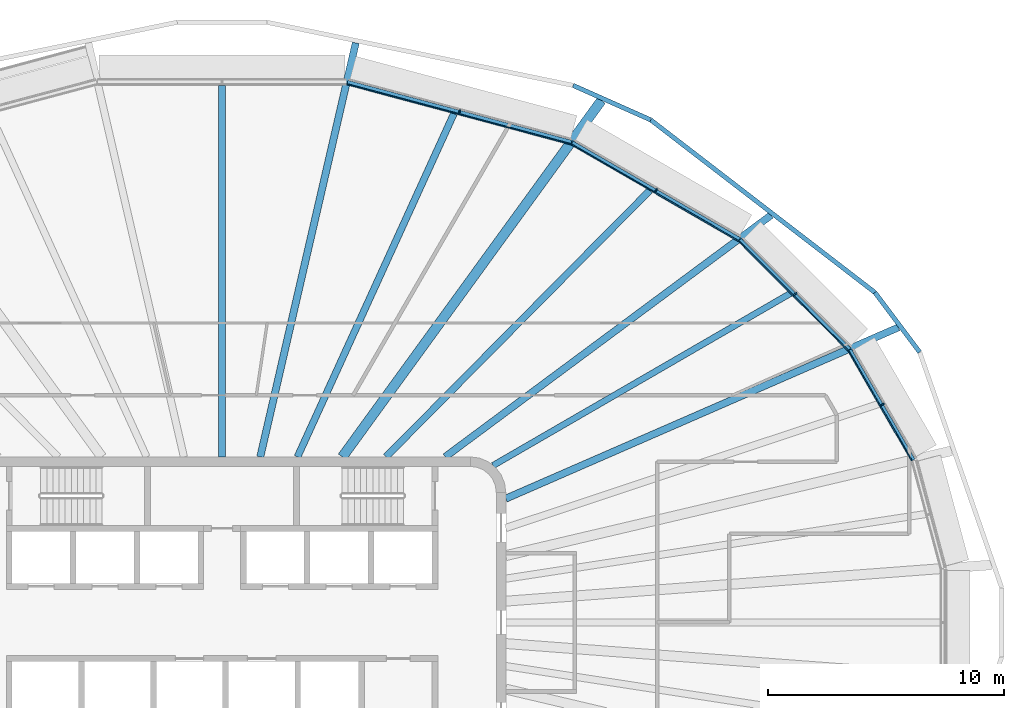
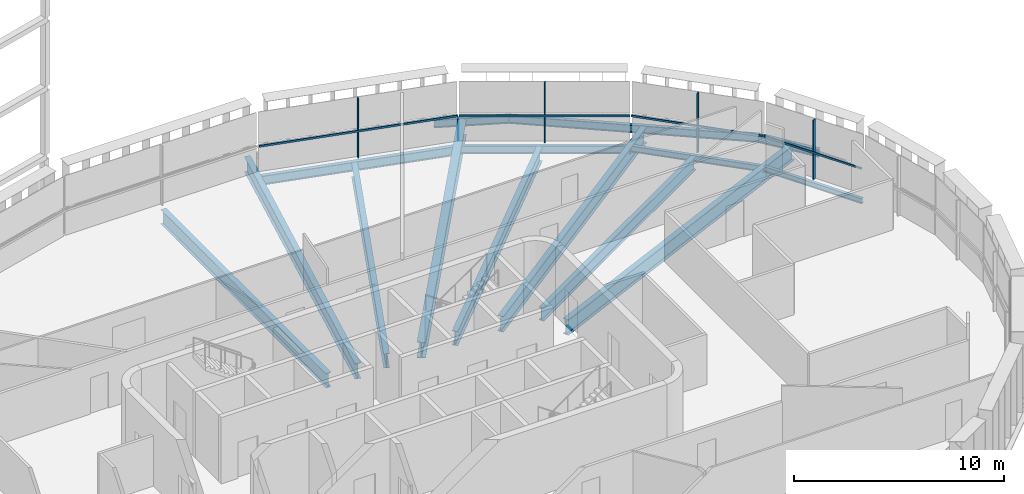
# One storey, part 6 of 20: 15 beams, 8 members, 4 elements without a shape of their own.
"""IFC4 building model written with IfcOpenShell, lengths in metres."""

import ifcopenshell
import ifcopenshell.guid

model = None  # the IFC model being written
_history = None  # IfcOwnerHistory: only IFC2X3 demands one
_inside = {}  # id of a spatial element -> (the spatial element, [elements in it])
_under = {}  # id of a project, library or spatial element -> (it, [spatial elements below it])
_declared = {}  # id of a project -> (the project, [libraries it declares])
_typed = {}  # id of a type object -> (the type object, [elements of that type])
_made_of = {}  # id of a material, layer set ... -> (it, [elements and type objects made of it])


def new_model(schema):
    """Start an empty IFC model of exactly this schema.

    Asked for "IFC4X3", IfcOpenShell would pick the latest addendum, in which some entities
    have other attributes; the version numbers below select the first issue.
    IFC2X3 requires an IfcOwnerHistory on every rooted entity: one is made here for all.
    """
    global model, _history
    if schema == "IFC4X3":
        model = ifcopenshell.file(schema_version=(4, 3, 0, 0))
    else:
        model = ifcopenshell.file(schema=schema)
    _inside.clear()
    _under.clear()
    _declared.clear()
    _typed.clear()
    _made_of.clear()
    _history = None
    if model.schema == "IFC2X3":
        org = make("IfcOrganization", Name="unknown")
        user = make(
            "IfcPersonAndOrganization",
            ThePerson=make("IfcPerson", FamilyName="unknown"),
            TheOrganization=org,
        )
        app = make(
            "IfcApplication",
            ApplicationDeveloper=org,
            Version="unknown",
            ApplicationFullName="unknown",
            ApplicationIdentifier="unknown",
        )
        _history = make(
            "IfcOwnerHistory",
            OwningUser=user,
            OwningApplication=app,
            ChangeAction="ADDED",
            CreationDate=0,
        )
    return model


def make(cls, **values):
    """One entity of the class cls with the attributes given. An attribute that is None is left unset."""
    return model.create_entity(
        cls, **{name: value for name, value in values.items() if value is not None}
    )


def rooted(cls, **values):
    """An entity with a GlobalId (a new one), such as an element, a storey or a relation."""
    return make(cls, GlobalId=ifcopenshell.guid.new(), OwnerHistory=_history, **values)


def si_unit(unit_type, name, prefix=None):
    """IfcSIUnit, for example si_unit("LENGTHUNIT", "METRE", prefix="MILLI")."""
    return make("IfcSIUnit", UnitType=unit_type, Prefix=prefix, Name=name)


def assignment(units):
    """IfcUnitAssignment: the units of a project."""
    return None if units is None else make("IfcUnitAssignment", Units=units)


def point(xyz):
    """IfcCartesianPoint."""
    return None if xyz is None else make("IfcCartesianPoint", Coordinates=xyz)


def direction(xyz):
    """IfcDirection."""
    return None if xyz is None else make("IfcDirection", DirectionRatios=xyz)


def frame(location, z_axis=None, x_axis=None):
    """IfcAxis2Placement3D, a coordinate frame: its origin and axes. An axis left out is left unset."""
    return make(
        "IfcAxis2Placement3D",
        Location=point(location),
        Axis=direction(z_axis),
        RefDirection=direction(x_axis),
    )


def frame_2d(location, x_axis=None):
    """IfcAxis2Placement2D, a coordinate frame in the plane: its origin and x axis."""
    return make(
        "IfcAxis2Placement2D", Location=point(location), RefDirection=direction(x_axis)
    )


def origin():
    """The frame at (0, 0, 0) with its axes left unset."""
    return frame((0.0, 0.0, 0.0))


def origin_2d():
    """The frame at (0, 0) in the plane with its x axis left unset."""
    return frame_2d((0.0, 0.0))


def place(relative_to, where):
    """IfcLocalPlacement: puts the frame where relative to a parent placement (None: the world)."""
    return make(
        "IfcLocalPlacement", PlacementRelTo=relative_to, RelativePlacement=where
    )


def context(
    kind, dimensions, precision=None, world=None, true_north=None, identifier=None
):
    """IfcGeometricRepresentationContext, for example the 3D "Model" context."""
    return make(
        "IfcGeometricRepresentationContext",
        ContextIdentifier=identifier,
        ContextType=kind,
        CoordinateSpaceDimension=dimensions,
        Precision=precision,
        WorldCoordinateSystem=world,
        TrueNorth=true_north,
    )


def subcontext(parent, identifier, kind, view, scale=None):
    """IfcGeometricRepresentationSubContext, for example "Body" below "Model"."""
    return make(
        "IfcGeometricRepresentationSubContext",
        ContextIdentifier=identifier,
        ContextType=kind,
        ParentContext=parent,
        TargetScale=scale,
        TargetView=view,
    )


def project(units=None, contexts=None):
    """IfcProject with its units and contexts."""
    return rooted(
        "IfcProject",
        Name="project",
        RepresentationContexts=contexts,
        UnitsInContext=assignment(units),
    )


def spatial(cls, under=None, at=None, **own):
    """A site, building, storey or space (cls), placed at a placement, below another one or the project."""
    s = rooted(cls, ObjectPlacement=at, **own)
    if under is not None:
        _under.setdefault(under.id(), (under, []))[1].append(s)
    return s


def profile(cls, at=None, kind="AREA", **sizes):
    """A parametric profile (cls). Its sizes go by their IFC names, for example OverallWidth=200.0."""
    return make(cls, ProfileType=kind, Position=at, **sizes)


def rectangle(**sizes):
    """IfcRectangleProfileDef."""
    return profile("IfcRectangleProfileDef", **sizes)


def i_section(**sizes):
    """IfcIShapeProfileDef."""
    return profile("IfcIShapeProfileDef", **sizes)


def extrude(swept, where, along, depth):
    """IfcExtrudedAreaSolid: the profile swept, set in the frame where, extruded along a direction by depth."""
    return make(
        "IfcExtrudedAreaSolid",
        SweptArea=swept,
        Position=where,
        ExtrudedDirection=direction(along),
        Depth=depth,
    )


def shape(context_of_items, identifier, shape_type, items):
    """IfcShapeRepresentation: the items that make up one representation, for example the "Body"."""
    return make(
        "IfcShapeRepresentation",
        ContextOfItems=context_of_items,
        RepresentationIdentifier=identifier,
        RepresentationType=shape_type,
        Items=items,
    )


def material(Name=None, Category=None):
    """IfcMaterial."""
    return make("IfcMaterial", Name=Name, Category=Category)


def layer(
    of_material, thickness, ventilated=None, Name=None, Category=None, Priority=None
):
    """IfcMaterialLayer: one layer of a wall or slab, of a material (None: an air gap)."""
    return make(
        "IfcMaterialLayer",
        Material=of_material,
        LayerThickness=thickness,
        IsVentilated=ventilated,
        Name=Name,
        Category=Category,
        Priority=Priority,
    )


def layer_set(layers, Name=None):
    """IfcMaterialLayerSet."""
    return make("IfcMaterialLayerSet", MaterialLayers=layers, LayerSetName=Name)


def material_profile(
    of_material, cross_section, Name=None, Category=None, Priority=None
):
    """IfcMaterialProfile: a cross section and its material."""
    return make(
        "IfcMaterialProfile",
        Name=Name,
        Material=of_material,
        Profile=cross_section,
        Priority=Priority,
        Category=Category,
    )


def profile_set(profiles, Name=None, composite=None):
    """IfcMaterialProfileSet."""
    return make(
        "IfcMaterialProfileSet",
        Name=Name,
        MaterialProfiles=profiles,
        CompositeProfile=composite,
    )


def made_of(thing, what):
    """Note that an element or type object is made of a material, layer set ...; save() writes the relation."""
    if what is not None:
        _made_of.setdefault(what.id(), (what, []))[1].append(thing)
    return thing


def type_object(cls, material=None, **own):
    """A type object (cls), such as IfcWallType, which elements share."""
    return made_of(rooted(cls, **own), material)


def element(
    cls,
    number,
    at=None,
    inside=None,
    cuts=None,
    type_object=None,
    material=None,
    context=None,
    identifier="Body",
    shape_type=None,
    held_by="IfcProductDefinitionShape",
    body=None,
    shapes=None,
    **own,
):
    """One element of the class cls, such as IfcWall. Its Tag is "e" and its number.

    at: its placement. inside: the storey or other place that contains it. cuts: it is an
    opening in that element (IfcRelVoidsElement). A single representation is given by context,
    identifier, shape_type and body (its items); several are given by shapes. held_by: the class
    of the entity that holds the representations. save() writes the other relations.
    """
    e = rooted(cls, Tag="e%d" % number, ObjectPlacement=at, **own)
    if body is not None:
        shapes = [shape(context, identifier, shape_type, body)]
    if shapes is not None:
        e.Representation = make(held_by, Representations=shapes)
    if inside is not None:
        _inside.setdefault(inside.id(), (inside, []))[1].append(e)
    if cuts is not None:
        rooted(
            "IfcRelVoidsElement", RelatingBuildingElement=cuts, RelatedOpeningElement=e
        )
    if type_object is not None:
        _typed.setdefault(type_object.id(), (type_object, []))[1].append(e)
    return made_of(e, material)


def aggregate(whole, parts):
    """IfcRelAggregates: a whole, such as a stair, and the parts it consists of."""
    return rooted("IfcRelAggregates", RelatingObject=whole, RelatedObjects=parts)


def save(model, path):
    """Write the relations noted so far, then the file.

    IfcRelAggregates (storeys below a building ...), IfcRelContainedInSpatialStructure (elements
    in a storey), IfcRelDefinesByType, IfcRelAssociatesMaterial and IfcRelDeclares: one each for
    every whole, place, type object, material and project.
    """
    for whole, parts in _under.values():
        aggregate(whole, parts)
    for where, things in _inside.values():
        rooted(
            "IfcRelContainedInSpatialStructure",
            RelatedElements=things,
            RelatingStructure=where,
        )
    for kind, things in _typed.values():
        rooted("IfcRelDefinesByType", RelatedObjects=things, RelatingType=kind)
    for what, things in _made_of.values():
        rooted("IfcRelAssociatesMaterial", RelatedObjects=things, RelatingMaterial=what)
    for by, libraries in _declared.values():
        rooted("IfcRelDeclares", RelatingContext=by, RelatedDefinitions=libraries)
    model.write(path)


model = new_model("IFC4")

# Units and contexts
model_context = context("Model", 3, precision=1e-05, world=origin(), true_north=direction((0.0, 1.0)))
body_context = subcontext(model_context, "Body", "Model", "MODEL_VIEW")
ifc_project = project(units=[si_unit("LENGTHUNIT", "METRE"), si_unit("AREAUNIT", "SQUARE_METRE"), si_unit("VOLUMEUNIT", "CUBIC_METRE"), si_unit("PLANEANGLEUNIT", "RADIAN"), si_unit("MASSUNIT", "GRAM", prefix="KILO")], contexts=[model_context])

# Site, building, storey
site_placement = place(None, origin())
site = spatial("IfcSite", under=ifc_project, at=site_placement, CompositionType="ELEMENT")
building_placement = place(site_placement, origin())
building = spatial("IfcBuilding", under=site, at=building_placement, Name="Sahrelin Media Tower", CompositionType="ELEMENT")
storey_placement = place(building_placement, frame((0.0, 0.0, 213.60009765625)))
storey = spatial("IfcBuildingStorey", under=building, at=storey_placement, Name="L45", CompositionType="ELEMENT", Elevation=213.60009765625)

# Beams
ifc_material_1 = material(Name="Steel S355", Category="steel")
ifc_material_profile_1 = material_profile(ifc_material_1, i_section(OverallWidth=0.1650390625, OverallDepth=0.303466796875, WebThickness=0.006103515625, FlangeThickness=0.01025390625, FilletRadius=0.0087890625, at=origin_2d()), Name="UB 305x165x40")
ifc_profile_set_1 = profile_set([ifc_material_profile_1], Name="Steel S355")
beam_type_1 = type_object("IfcBeamType", Name="Edge beam EB2", PredefinedType="BEAM", material=ifc_profile_set_1)
beam_1_placement = place(storey_placement, frame((26.5478515625, 11.521484375, -0.3017578125), z_axis=(0.499992359988, -0.866029814703, 0.0), x_axis=(0.866029814703, 0.499992359988, 0.0)))
element("IfcBeam", 1, at=beam_1_placement, inside=storey, type_object=beam_type_1, Name="Edge beam L45-23", PredefinedType="BEAM", context=body_context, shape_type="SweptSolid", body=[
    extrude(i_section(OverallWidth=0.1650390625, OverallDepth=0.303466796875, WebThickness=0.006103515625, FlangeThickness=0.01025390625, FilletRadius=0.0087890625, at=origin_2d()), origin(), (0.0, 0.0, 1.0), 5.37646484375),
])
ifc_material_profile_2 = material_profile(ifc_material_1, i_section(OverallWidth=0.17138671875, OverallDepth=0.35498046875, WebThickness=0.00732421875, FlangeThickness=0.011474609375, FilletRadius=0.01025390625, at=origin_2d()), Name="UB 356x171x51")
ifc_profile_set_2 = profile_set([ifc_material_profile_2], Name="Steel S355")
beam_type_2 = type_object("IfcBeamType", Name="Edge beam EB3", PredefinedType="BEAM", material=ifc_profile_set_2)
beam_2_placement = place(storey_placement, frame((21.901123046875, 16.17333984375, -0.32763671875), z_axis=(0.70712542778, -0.707088134102, 0.0), x_axis=(0.707088134102, 0.70712542778, 0.0)))
element("IfcBeam", 2, at=beam_2_placement, inside=storey, type_object=beam_type_2, Name="Edge beam L45-22", PredefinedType="BEAM", context=body_context, shape_type="SweptSolid", body=[
    extrude(i_section(OverallWidth=0.17138671875, OverallDepth=0.35498046875, WebThickness=0.00732421875, FlangeThickness=0.011474609375, FilletRadius=0.01025390625, at=origin_2d()), origin(), (0.0, 0.0, 1.0), 6.54638671875),
])
ifc_material_profile_3 = material_profile(ifc_material_1, i_section(OverallWidth=0.1904296875, OverallDepth=0.45703125, WebThickness=0.009033203125, FlangeThickness=0.014404296875, FilletRadius=0.01025390625, at=origin_2d()), Name="UB 457x191x74")
ifc_profile_set_3 = profile_set([ifc_material_profile_3], Name="Steel S355")
beam_type_3 = type_object("IfcBeamType", Name="Edge beam EB5", PredefinedType="BEAM", material=ifc_profile_set_3)
beam_3_placement = place(storey_placement, frame((14.79833984375, 20.278564453125, -0.378662109375), z_axis=(0.866027444383, -0.499996465562, 0.0), x_axis=(0.499996465562, 0.866027444383, 0.0)))
element("IfcBeam", 3, at=beam_3_placement, inside=storey, type_object=beam_type_3, Name="Edge beam L45-21", PredefinedType="BEAM", context=body_context, shape_type="SweptSolid", body=[
    extrude(i_section(OverallWidth=0.1904296875, OverallDepth=0.45703125, WebThickness=0.009033203125, FlangeThickness=0.014404296875, FilletRadius=0.01025390625, at=origin_2d()), origin(), (0.0, 0.0, 1.0), 8.17529296875),
])
ifc_material_profile_4 = material_profile(ifc_material_1, i_section(OverallWidth=0.208740234375, OverallDepth=0.5283203125, WebThickness=0.009521484375, FlangeThickness=0.01318359375, FilletRadius=0.0126953125, at=origin_2d()), Name="UB 533x210x82")
ifc_profile_set_4 = profile_set([ifc_material_profile_4], Name="Steel S355")
beam_type_4 = type_object("IfcBeamType", Name="Edge beam EB6", PredefinedType="BEAM", material=ifc_profile_set_4)
beam_4_placement = place(storey_placement, frame((5.296630859375, 22.828369140625, -0.414306640625), z_axis=(0.965926499263, -0.258816533518, 0.0), x_axis=(0.258816533518, 0.965926499263, 0.0)))
element("IfcBeam", 4, at=beam_4_placement, inside=storey, type_object=beam_type_4, Name="Edge beam L45-20", PredefinedType="BEAM", context=body_context, shape_type="SweptSolid", body=[
    extrude(i_section(OverallWidth=0.208740234375, OverallDepth=0.5283203125, WebThickness=0.009521484375, FlangeThickness=0.01318359375, FilletRadius=0.0126953125, at=origin_2d()), origin(), (0.0, 0.0, 1.0), 9.809326171875),
])

# Curtain wall, member
ifc_material_2 = material(Name="Champagne anodised aluminium 6063-T6", Category="aluminium")
ifc_layer = layer(ifc_material_2, 0.14990234375)
ifc_layer_set = layer_set([ifc_layer], Name="Tower ribbon curtain wall")
curtain_wall_type = type_object("IfcCurtainWallType", Name="Tower ribbon curtain wall", PredefinedType="NOTDEFINED", material=ifc_layer_set)
curtain_wall_1_placement = place(storey_placement, frame((28.02197265625, 9.268310546875, 0.0), z_axis=(0.0, 0.0, 1.0), x_axis=(1.0, 0.0, 0.0)))
curtain_wall_1 = element("IfcCurtainWall", 5, at=curtain_wall_1_placement, inside=storey, type_object=curtain_wall_type, Name="L45:CW:L45-02", PredefinedType="NOTDEFINED")
ifc_material_profile_5 = material_profile(ifc_material_2, rectangle(XDim=0.06005859375, YDim=0.175048828125, at=origin_2d()), Name="Mullion 60x175")
ifc_profile_set_5 = profile_set([ifc_material_profile_5], Name="Champagne anodised aluminium 6063-T6")
member_type_1 = type_object("IfcMemberType", Name="Mullion 60x175 CW1B", PredefinedType="MULLION", material=ifc_profile_set_5)
member_1_placement = place(storey_placement, frame((27.9287109375, 9.214599609375, 0.0), z_axis=(0.0, 0.0, 1.0), x_axis=(-0.4999984885, 0.866026276448, 0.0)))
member_1 = element("IfcMember", 6, at=member_1_placement, type_object=member_type_1, Name="L45:CWM:L45-02", PredefinedType="MULLION", context=body_context, shape_type="SweptSolid", body=[
    extrude(rectangle(XDim=0.06005859375, YDim=0.175048828125, at=origin_2d()), origin(), (0.0, 0.0, 1.0), 3.448486328125),
])

curtain_wall_2_placement = place(storey_placement, frame((24.32177734375, 13.96484375, 0.0), z_axis=(0.0, 0.0, 1.0), x_axis=(1.0, 0.0, 0.0)))
curtain_wall_2 = element("IfcCurtainWall", 7, at=curtain_wall_2_placement, inside=storey, type_object=curtain_wall_type, Name="L45:CW:L45-03", PredefinedType="NOTDEFINED")
member_2_placement = place(storey_placement, frame((24.245849609375, 13.888916015625, 0.0), z_axis=(0.0, 0.0, 1.0), x_axis=(-0.707114185953, 0.707099376343, 0.0)))
member_2 = element("IfcMember", 8, at=member_2_placement, type_object=member_type_1, Name="L45:CWM:L45-03", PredefinedType="MULLION", context=body_context, shape_type="SweptSolid", body=[
    extrude(rectangle(XDim=0.06005859375, YDim=0.175048828125, at=origin_2d()), origin(), (0.0, 0.0, 1.0), 3.448486328125),
])

curtain_wall_3_placement = place(storey_placement, frame((18.413330078125, 18.364501953125, 0.0), z_axis=(0.0, 0.0, 1.0), x_axis=(1.0, 0.0, 0.0)))
curtain_wall_3 = element("IfcCurtainWall", 9, at=curtain_wall_3_placement, inside=storey, type_object=curtain_wall_type, Name="L45:CW:L45-04", PredefinedType="NOTDEFINED")
member_3_placement = place(storey_placement, frame((18.359619140625, 18.271484375, 0.0), z_axis=(0.0, 0.0, 1.0), x_axis=(-0.866024531118, 0.500001511499, 0.0)))
member_3 = element("IfcMember", 10, at=member_3_placement, type_object=member_type_1, Name="L45:CWM:L45-04", PredefinedType="MULLION", context=body_context, shape_type="SweptSolid", body=[
    extrude(rectangle(XDim=0.06005859375, YDim=0.175048828125, at=origin_2d()), origin(), (0.0, 0.0, 1.0), 3.448486328125),
])

curtain_wall_4_placement = place(storey_placement, frame((10.072998046875, 21.703857421875, 0.0), z_axis=(0.0, 0.0, 1.0), x_axis=(1.0, 0.0, 0.0)))
curtain_wall_4 = element("IfcCurtainWall", 11, at=curtain_wall_4_placement, inside=storey, type_object=curtain_wall_type, Name="L45:CW:L45-05", PredefinedType="NOTDEFINED")
member_4_placement = place(storey_placement, frame((10.045166015625, 21.60009765625, 0.0), z_axis=(0.0, 0.0, 1.0), x_axis=(-0.965925374563, 0.258820730961, 0.0)))
member_4 = element("IfcMember", 12, at=member_4_placement, type_object=member_type_1, Name="L45:CWM:L45-05", PredefinedType="MULLION", context=body_context, shape_type="SweptSolid", body=[
    extrude(rectangle(XDim=0.06005859375, YDim=0.175048828125, at=origin_2d()), origin(), (0.0, 0.0, 1.0), 3.448486328125),
])

# Beams
ifc_material_profile_6 = material_profile(ifc_material_1, i_section(OverallWidth=0.30322265625, OverallDepth=0.903076171875, WebThickness=0.01513671875, FlangeThickness=0.020263671875, FilletRadius=0.01904296875, at=origin_2d()), Name="UB 914x305x201")
ifc_profile_set_6 = profile_set([ifc_material_profile_6], Name="Steel S355")
beam_type_5 = type_object("IfcBeamType", Name="Radial primary beam PB11", PredefinedType="BEAM", material=ifc_profile_set_6)
beam_5_placement = place(storey_placement, frame((12.0, 5.23291015625, -0.6015625), z_axis=(0.916633040882, 0.399729744156, 0.0), x_axis=(-0.399729744156, 0.916633040882, 0.0)))
element("IfcBeam", 13, at=beam_5_placement, inside=storey, type_object=beam_type_5, Name="Radial beam L45-03", PredefinedType="BEAM", context=body_context, shape_type="SweptSolid", body=[
    extrude(i_section(OverallWidth=0.30322265625, OverallDepth=0.903076171875, WebThickness=0.01513671875, FlangeThickness=0.020263671875, FilletRadius=0.01904296875, at=origin_2d()), origin(), (0.0, 0.0, 1.0), 18.11474609375),
])
beam_6_placement = place(storey_placement, frame((9.4384765625, 7.0, -0.6015625), z_axis=(0.803209621637, 0.595696486232, 0.0), x_axis=(-0.595696486232, 0.803209621637, 0.0)))
element("IfcBeam", 14, at=beam_6_placement, inside=storey, type_object=beam_type_5, Name="Radial beam L45-04", PredefinedType="BEAM", context=body_context, shape_type="SweptSolid", body=[
    extrude(i_section(OverallWidth=0.30322265625, OverallDepth=0.903076171875, WebThickness=0.01513671875, FlangeThickness=0.020263671875, FilletRadius=0.01904296875, at=origin_2d()), origin(), (0.0, 0.0, 1.0), 17.153564453125),
])
beam_7_placement = place(storey_placement, frame((1.614990234375, 7.0, -0.6015625), z_axis=(0.22481485709, 0.974401498373, 0.0), x_axis=(-0.974401498373, 0.22481485709, 0.0)))
element("IfcBeam", 15, at=beam_7_placement, inside=storey, type_object=beam_type_5, Name="Radial beam L45-06", PredefinedType="BEAM", context=body_context, shape_type="SweptSolid", body=[
    extrude(i_section(OverallWidth=0.30322265625, OverallDepth=0.903076171875, WebThickness=0.01513671875, FlangeThickness=0.020263671875, FilletRadius=0.01904296875, at=origin_2d()), origin(), (0.0, 0.0, 1.0), 17.970458984375),
])
ifc_material_profile_7 = material_profile(ifc_material_1, i_section(OverallWidth=0.41845703125, OverallDepth=0.911865234375, WebThickness=0.019287109375, FlangeThickness=0.031982421875, FilletRadius=0.024169921875, at=origin_2d()), Name="UB 914x419x343")
ifc_profile_set_7 = profile_set([ifc_material_profile_7], Name="Steel S355")
beam_type_6 = type_object("IfcBeamType", Name="Radial primary beam PB12", PredefinedType="BEAM", material=ifc_profile_set_7)
beam_8_placement = place(storey_placement, frame((5.0869140625, 7.0, -0.60595703125), z_axis=(0.587886584188, 0.808943362747, 0.0), x_axis=(-0.808943362747, 0.587886584188, 0.0)))
element("IfcBeam", 16, at=beam_8_placement, inside=storey, type_object=beam_type_6, Name="Radial beam L45-05", PredefinedType="BEAM", context=body_context, shape_type="SweptSolid", body=[
    extrude(i_section(OverallWidth=0.41845703125, OverallDepth=0.911865234375, WebThickness=0.019287109375, FlangeThickness=0.031982421875, FilletRadius=0.024169921875, at=origin_2d()), origin(), (0.0, 0.0, 1.0), 18.63720703125),
])
ifc_material_profile_8 = material_profile(ifc_material_1, i_section(OverallWidth=0.291748046875, OverallDepth=0.8349609375, WebThickness=0.013916015625, FlangeThickness=0.018798828125, FilletRadius=0.017822265625, at=origin_2d()), Name="UB 838x292x176")
ifc_profile_set_8 = profile_set([ifc_material_profile_8], Name="Steel S355")
beam_type_7 = type_object("IfcBeamType", Name="Radial secondary beam SB10", PredefinedType="BEAM", material=ifc_profile_set_8)
beam_9_placement = place(storey_placement, frame((6.932373046875, 7.0, -0.567626953125), z_axis=(0.703673029626, 0.710523938637, 0.0), x_axis=(-0.710523938637, 0.703673029626, 0.0)))
element("IfcBeam", 17, at=beam_9_placement, inside=storey, type_object=beam_type_7, Name="Secondary beam L45-04", PredefinedType="BEAM", context=body_context, shape_type="SweptSolid", body=[
    extrude(i_section(OverallWidth=0.291748046875, OverallDepth=0.8349609375, WebThickness=0.013916015625, FlangeThickness=0.018798828125, FilletRadius=0.017822265625, at=origin_2d()), origin(), (0.0, 0.0, 1.0), 15.858154296875),
])
beam_10_placement = place(storey_placement, frame((3.18994140625, 7.0, -0.567626953125), z_axis=(0.414690814889, 0.90996237727, 0.0), x_axis=(-0.90996237727, 0.414690814889, 0.0)))
element("IfcBeam", 18, at=beam_10_placement, inside=storey, type_object=beam_type_7, Name="Secondary beam L45-05", PredefinedType="BEAM", context=body_context, shape_type="SweptSolid", body=[
    extrude(i_section(OverallWidth=0.291748046875, OverallDepth=0.8349609375, WebThickness=0.013916015625, FlangeThickness=0.018798828125, FilletRadius=0.017822265625, at=origin_2d()), origin(), (0.0, 0.0, 1.0), 15.94873046875),
])
beam_11_placement = place(storey_placement, frame((0.0, 7.0, -0.567626953125), z_axis=(0.0, 1.0, 0.0), x_axis=(-1.0, 0.0, 0.0)))
element("IfcBeam", 19, at=beam_11_placement, inside=storey, type_object=beam_type_7, Name="Secondary beam L45-06", PredefinedType="BEAM", context=body_context, shape_type="SweptSolid", body=[
    extrude(i_section(OverallWidth=0.291748046875, OverallDepth=0.8349609375, WebThickness=0.013916015625, FlangeThickness=0.018798828125, FilletRadius=0.017822265625, at=origin_2d()), origin(), (0.0, 0.0, 1.0), 15.718505859375),
])
ifc_material_profile_9 = material_profile(ifc_material_1, i_section(OverallWidth=0.26513671875, OverallDepth=0.75390625, WebThickness=0.0126953125, FlangeThickness=0.017578125, FilletRadius=0.0166015625, at=origin_2d()), Name="UB 762x267x147")
ifc_profile_set_9 = profile_set([ifc_material_profile_9], Name="Steel S355")
beam_type_8 = type_object("IfcBeamType", Name="Radial secondary beam SB9", PredefinedType="BEAM", material=ifc_profile_set_9)
beam_12_placement = place(storey_placement, frame((11.463623046875, 6.635009765625, -0.527099609375), z_axis=(0.865485713708, 0.500933607744, 0.0), x_axis=(-0.500933607744, 0.865485713708, 0.0)))
element("IfcBeam", 20, at=beam_12_placement, inside=storey, type_object=beam_type_8, Name="Secondary beam L45-03", PredefinedType="BEAM", context=body_context, shape_type="SweptSolid", body=[
    extrude(i_section(OverallWidth=0.26513671875, OverallDepth=0.75390625, WebThickness=0.0126953125, FlangeThickness=0.017578125, FilletRadius=0.0166015625, at=origin_2d()), origin(), (0.0, 0.0, 1.0), 14.530517578125),
])
ifc_material_profile_10 = material_profile(ifc_material_1, i_section(OverallWidth=0.1904296875, OverallDepth=0.45703125, WebThickness=0.009033203125, FlangeThickness=0.014404296875, FilletRadius=0.01025390625, at=origin_2d()), Name="UB 457x191x74")
ifc_profile_set_10 = profile_set([ifc_material_profile_10], Name="Steel S355")
beam_type_9 = type_object("IfcBeamType", Name="Tie chord TC5", PredefinedType="BEAM", material=ifc_profile_set_10)
beam_13_placement = place(storey_placement, frame((29.507080078125, 11.42919921875, -0.378662109375), z_axis=(-0.600074252543, 0.799944305208, 0.0), x_axis=(-0.799944305208, -0.600074252543, 0.0)))
element("IfcBeam", 21, at=beam_13_placement, inside=storey, type_object=beam_type_9, Name="Tie chord L45-02", PredefinedType="BEAM", context=body_context, shape_type="SweptSolid", body=[
    extrude(i_section(OverallWidth=0.1904296875, OverallDepth=0.45703125, WebThickness=0.009033203125, FlangeThickness=0.014404296875, FilletRadius=0.01025390625, at=origin_2d()), origin(), (0.0, 0.0, 1.0), 3.15625),
])
beam_14_placement = place(storey_placement, frame((27.613037109375, 13.9541015625, -0.378662109375), z_axis=(-0.792444220913, 0.609944388237, 0.0), x_axis=(-0.609944388237, -0.792444220913, 0.0)))
element("IfcBeam", 22, at=beam_14_placement, inside=storey, type_object=beam_type_9, Name="Tie chord L45-03", PredefinedType="BEAM", context=body_context, shape_type="SweptSolid", body=[
    extrude(i_section(OverallWidth=0.1904296875, OverallDepth=0.45703125, WebThickness=0.009033203125, FlangeThickness=0.014404296875, FilletRadius=0.01025390625, at=origin_2d()), origin(), (0.0, 0.0, 1.0), 11.967529296875),
])
beam_15_placement = place(storey_placement, frame((18.12939453125, 21.253662109375, -0.378662109375), z_axis=(-0.913836787305, 0.406081674258, 0.0), x_axis=(-0.406081674258, -0.913836787305, 0.0)))
element("IfcBeam", 23, at=beam_15_placement, inside=storey, type_object=beam_type_9, Name="Tie chord L45-04", PredefinedType="BEAM", context=body_context, shape_type="SweptSolid", body=[
    extrude(i_section(OverallWidth=0.1904296875, OverallDepth=0.45703125, WebThickness=0.009033203125, FlangeThickness=0.014404296875, FilletRadius=0.01025390625, at=origin_2d()), origin(), (0.0, 0.0, 1.0), 3.58984375),
])

# Member
ifc_material_profile_11 = material_profile(ifc_material_2, rectangle(XDim=0.050048828125, YDim=0.110107421875, at=origin_2d()), Name="Transom 50x110")
ifc_profile_set_11 = profile_set([ifc_material_profile_11], Name="Champagne anodised aluminium 6063-T6")
member_type_2 = type_object("IfcMemberType", Name="Transom 50x110 CW1B", PredefinedType="USERDEFINED", material=ifc_profile_set_11)
member_5_placement = place(storey_placement, frame((29.167724609375, 6.84375, 1.599853515625), z_axis=(-0.499995257159, 0.866028142048, 0.0), x_axis=(-0.866028142048, -0.499995257159, 0.0)))
member_5 = element("IfcMember", 24, at=member_5_placement, type_object=member_type_2, Name="L45:CWT:L45-02", ObjectType="TRANSOM", PredefinedType="USERDEFINED", context=body_context, shape_type="SweptSolid", body=[
    extrude(rectangle(XDim=0.050048828125, YDim=0.110107421875, at=origin_2d()), origin(), (0.0, 0.0, 1.0), 5.34521484375),
])

aggregate(curtain_wall_1, [member_1, member_5])

member_6_placement = place(storey_placement, frame((26.4697265625, 11.506103515625, 1.599853515625), z_axis=(-0.707125517703, 0.707088044173, 0.0), x_axis=(-0.707088044173, -0.707125517703, 0.0)))
member_6 = element("IfcMember", 25, at=member_6_placement, type_object=member_type_2, Name="L45:CWT:L45-03", ObjectType="TRANSOM", PredefinedType="USERDEFINED", context=body_context, shape_type="SweptSolid", body=[
    extrude(rectangle(XDim=0.050048828125, YDim=0.110107421875, at=origin_2d()), origin(), (0.0, 0.0, 1.0), 6.51513671875),
])

aggregate(curtain_wall_2, [member_2, member_6])

member_7_placement = place(storey_placement, frame((21.82958984375, 16.13818359375, 1.599853515625), z_axis=(-0.866011347513, 0.500024345386, 0.0), x_axis=(-0.500024345386, -0.866011347513, 0.0)))
member_7 = element("IfcMember", 26, at=member_7_placement, type_object=member_type_2, Name="L45:CWT:L45-04", ObjectType="TRANSOM", PredefinedType="USERDEFINED", context=body_context, shape_type="SweptSolid", body=[
    extrude(rectangle(XDim=0.050048828125, YDim=0.110107421875, at=origin_2d()), origin(), (0.0, 0.0, 1.0), 8.1435546875),
])

aggregate(curtain_wall_3, [member_3, member_7])

member_8_placement = place(storey_placement, frame((14.738525390625, 20.22607421875, 1.599853515625), z_axis=(-0.965925092581, 0.258821783324, 0.0), x_axis=(-0.258821783324, -0.965925092581, 0.0)))
member_8 = element("IfcMember", 27, at=member_8_placement, type_object=member_type_2, Name="L45:CWT:L45-05", ObjectType="TRANSOM", PredefinedType="USERDEFINED", context=body_context, shape_type="SweptSolid", body=[
    extrude(rectangle(XDim=0.050048828125, YDim=0.110107421875, at=origin_2d()), origin(), (0.0, 0.0, 1.0), 9.778076171875),
])

aggregate(curtain_wall_4, [member_4, member_8])

save(model, "model.ifc")
